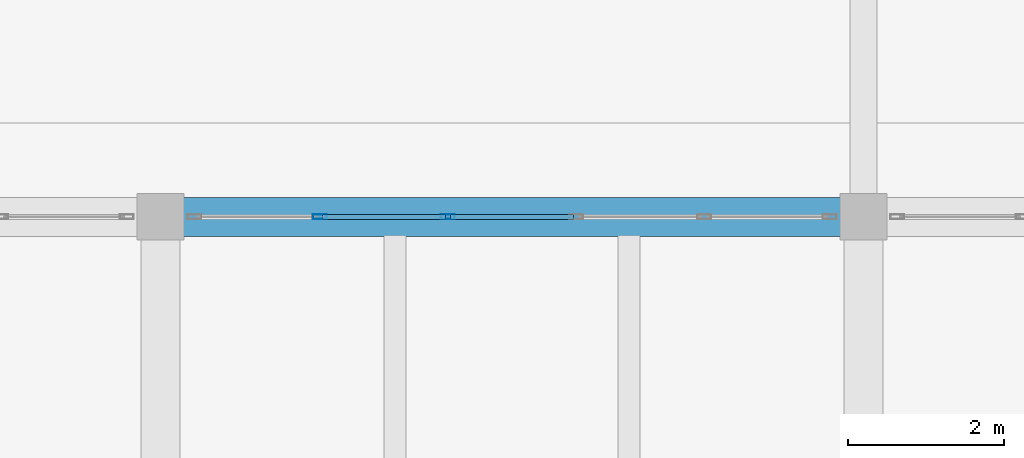
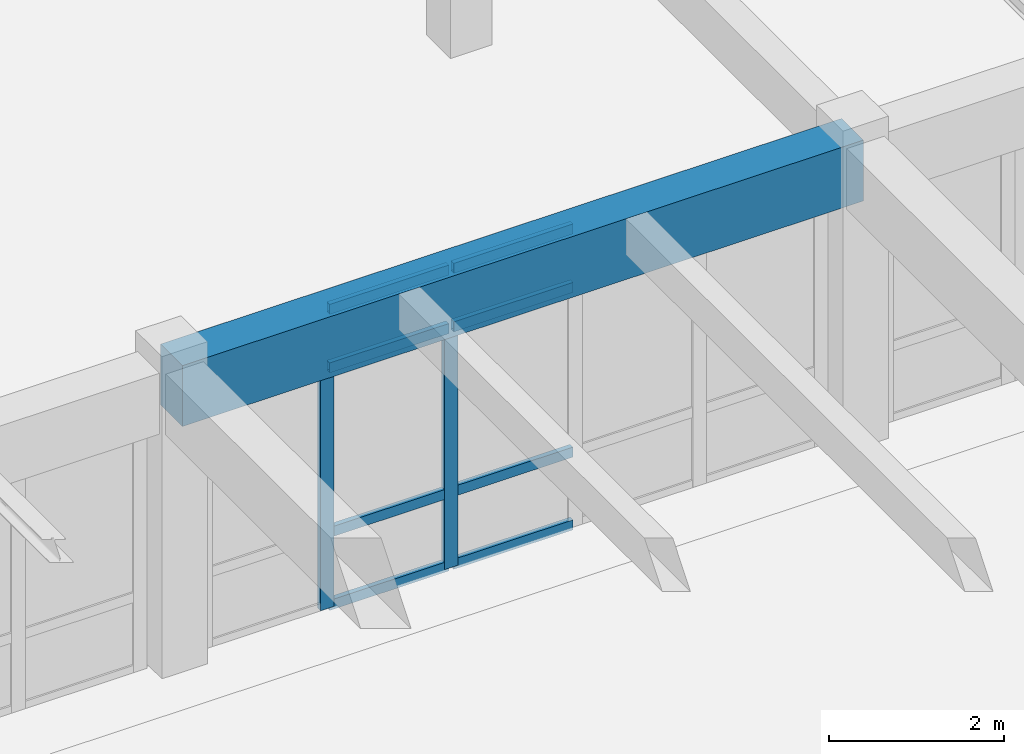
# One storey, part 84 of 186: 10 members, 1 beam, 1 element without a shape of its own.
"""IFC4 building model written with IfcOpenShell, lengths in metres."""

from ifc_helpers import new_model, si_unit, direction, frame, origin, origin_2d, place, context, subcontext, project, spatial, rectangle, hollow_rectangle, extrude, material, layer, layer_set, material_profile, profile_set, type_object, element, aggregate, save


model = new_model("IFC4")

# Units and contexts
model_context = context("Model", 3, precision=1e-05, world=origin(), true_north=direction((0.0, 1.0)))
body_context = subcontext(model_context, "Body", "Model", "MODEL_VIEW")
ifc_project = project(units=[si_unit("LENGTHUNIT", "METRE"), si_unit("AREAUNIT", "SQUARE_METRE"), si_unit("VOLUMEUNIT", "CUBIC_METRE"), si_unit("PLANEANGLEUNIT", "RADIAN"), si_unit("MASSUNIT", "GRAM", prefix="KILO")], contexts=[model_context])

# Site, building, storey
site_placement = place(None, origin())
site = spatial("IfcSite", under=ifc_project, at=site_placement, CompositionType="ELEMENT")
building_placement = place(site_placement, origin())
building = spatial("IfcBuilding", under=site, at=building_placement, Name="Ornek Quay Market", CompositionType="ELEMENT")
storey_placement = place(building_placement, origin())
storey = spatial("IfcBuildingStorey", under=building, at=storey_placement, Name="L00", CompositionType="ELEMENT", Elevation=0.0)

# Beam
ifc_material_1 = material(Name="Concrete C40/50", Category="concrete")
ifc_material_profile_1 = material_profile(ifc_material_1, rectangle(XDim=0.5, YDim=0.85009765625, at=origin_2d()), Name="RC 500x850", Category="concrete")
ifc_profile_set_1 = profile_set([ifc_material_profile_1], Name="Concrete C40/50")
beam_type = type_object("IfcBeamType", Name="BM-GAL-500x850", PredefinedType="BEAM", material=ifc_profile_set_1)
beam_placement = place(storey_placement, frame((90.0, 92.0, 3.81494140625), z_axis=(1.0, 0.0, 0.0), x_axis=(0.0, 1.0, 0.0)))
element("IfcBeam", 1, at=beam_placement, inside=storey, type_object=beam_type, Name="Primary beam B-GL1-053", PredefinedType="BEAM", context=body_context, shape_type="SweptSolid", body=[
    extrude(rectangle(XDim=0.5, YDim=0.85009765625, at=origin_2d()), origin(), (0.0, 0.0, 1.0), 9.0),
])

# Curtain wall, members
ifc_material_2 = material(Name="Anodised bronze aluminium and triple low-e glass", Category="aluminium")
ifc_layer = layer(ifc_material_2, 0.139892578125, Name="Anodised bronze aluminium and triple low-e glass", Category="aluminium")
ifc_layer_set = layer_set([ifc_layer], Name="Anodised bronze aluminium and triple low-e glass")
curtain_wall_type = type_object("IfcCurtainWallType", Name="CW-GALLERY-INT", PredefinedType="USERDEFINED", material=ifc_layer_set)
curtain_wall_placement = place(storey_placement, origin())
curtain_wall = element("IfcCurtainWall", 2, at=curtain_wall_placement, inside=storey, type_object=curtain_wall_type, Name="Curtain wall CW-124", ObjectType="CURTAIN WALL", PredefinedType="USERDEFINED")
ifc_material_3 = material(Name="Anodised aluminium 6063-T6", Category="aluminium")
ifc_material_profile_2 = material_profile(ifc_material_3, hollow_rectangle(XDim=0.06494140625, YDim=0.179931640625, WallThickness=0.00439453125, at=origin_2d()), Name="CW-MUL-65x180", Category="aluminium")
ifc_profile_set_2 = profile_set([ifc_material_profile_2], Name="Anodised aluminium 6063-T6")
member_type_1 = type_object("IfcMemberType", Name="CW-MUL-65x180", PredefinedType="MULLION", material=ifc_profile_set_2)
member_1_placement = place(storey_placement, frame((92.0400390625, 92.0, 0.0), z_axis=(0.0, 0.0, 1.0), x_axis=(0.0, 1.0, 0.0)))
member_1 = element("IfcMember", 3, at=member_1_placement, type_object=member_type_1, Name="CW-124 mullion 2", PredefinedType="MULLION", context=body_context, shape_type="SweptSolid", body=[
    extrude(hollow_rectangle(XDim=0.06494140625, YDim=0.179931640625, WallThickness=0.00439453125, at=origin_2d()), origin(), (0.0, 0.0, 1.0), 4.199951171875),
])
member_2_placement = place(storey_placement, frame((93.679931640625, 92.0, 0.0), z_axis=(0.0, 0.0, 1.0), x_axis=(0.0, 1.0, 0.0)))
member_2 = element("IfcMember", 4, at=member_2_placement, type_object=member_type_1, Name="CW-124 mullion 3", PredefinedType="MULLION", context=body_context, shape_type="SweptSolid", body=[
    extrude(hollow_rectangle(XDim=0.06494140625, YDim=0.179931640625, WallThickness=0.00439453125, at=origin_2d()), origin(), (0.0, 0.0, 1.0), 4.199951171875),
])
ifc_material_profile_3 = material_profile(ifc_material_3, hollow_rectangle(XDim=0.06494140625, YDim=0.139892578125, WallThickness=0.00439453125, at=origin_2d()), Name="CW-TRN-65x140", Category="aluminium")
ifc_profile_set_3 = profile_set([ifc_material_profile_3], Name="Anodised aluminium 6063-T6")
member_type_2 = type_object("IfcMemberType", Name="CW-TRN-65x140", PredefinedType="USERDEFINED", material=ifc_profile_set_3)
member_3_placement = place(storey_placement, frame((92.072509765625, 92.0, 0.032470703125), z_axis=(1.0, 0.0, 0.0), x_axis=(0.0, 1.0, 0.0)))
member_3 = element("IfcMember", 5, at=member_3_placement, type_object=member_type_2, Name="CW-124 transom 2.1", ObjectType="TRANSOM", PredefinedType="USERDEFINED", context=body_context, shape_type="SweptSolid", body=[
    extrude(hollow_rectangle(XDim=0.06494140625, YDim=0.139892578125, WallThickness=0.00439453125, at=origin_2d()), origin(), (0.0, 0.0, 1.0), 1.574951171875),
])
member_4_placement = place(storey_placement, frame((92.072509765625, 92.0, 1.050048828125), z_axis=(1.0, 0.0, 0.0), x_axis=(0.0, 1.0, 0.0)))
member_4 = element("IfcMember", 6, at=member_4_placement, type_object=member_type_2, Name="CW-124 transom 2.2", ObjectType="TRANSOM", PredefinedType="USERDEFINED", context=body_context, shape_type="SweptSolid", body=[
    extrude(hollow_rectangle(XDim=0.06494140625, YDim=0.139892578125, WallThickness=0.00439453125, at=origin_2d()), origin(), (0.0, 0.0, 1.0), 1.574951171875),
])
member_5_placement = place(storey_placement, frame((92.072509765625, 92.0, 3.35009765625), z_axis=(1.0, 0.0, 0.0), x_axis=(0.0, 1.0, 0.0)))
member_5 = element("IfcMember", 7, at=member_5_placement, type_object=member_type_2, Name="CW-124 transom 2.3", ObjectType="TRANSOM", PredefinedType="USERDEFINED", context=body_context, shape_type="SweptSolid", body=[
    extrude(hollow_rectangle(XDim=0.06494140625, YDim=0.139892578125, WallThickness=0.00439453125, at=origin_2d()), origin(), (0.0, 0.0, 1.0), 1.574951171875),
])
member_6_placement = place(storey_placement, frame((92.072509765625, 92.0, 4.16748046875), z_axis=(1.0, 0.0, 0.0), x_axis=(0.0, 1.0, 0.0)))
member_6 = element("IfcMember", 8, at=member_6_placement, type_object=member_type_2, Name="CW-124 transom 2.4", ObjectType="TRANSOM", PredefinedType="USERDEFINED", context=body_context, shape_type="SweptSolid", body=[
    extrude(hollow_rectangle(XDim=0.06494140625, YDim=0.139892578125, WallThickness=0.00439453125, at=origin_2d()), origin(), (0.0, 0.0, 1.0), 1.574951171875),
])
member_7_placement = place(storey_placement, frame((93.71240234375, 92.0, 0.032470703125), z_axis=(1.0, 0.0, 0.0), x_axis=(0.0, 1.0, 0.0)))
member_7 = element("IfcMember", 9, at=member_7_placement, type_object=member_type_2, Name="CW-124 transom 3.1", ObjectType="TRANSOM", PredefinedType="USERDEFINED", context=body_context, shape_type="SweptSolid", body=[
    extrude(hollow_rectangle(XDim=0.06494140625, YDim=0.139892578125, WallThickness=0.00439453125, at=origin_2d()), origin(), (0.0, 0.0, 1.0), 1.5751953125),
])
member_8_placement = place(storey_placement, frame((93.71240234375, 92.0, 1.050048828125), z_axis=(1.0, 0.0, 0.0), x_axis=(0.0, 1.0, 0.0)))
member_8 = element("IfcMember", 10, at=member_8_placement, type_object=member_type_2, Name="CW-124 transom 3.2", ObjectType="TRANSOM", PredefinedType="USERDEFINED", context=body_context, shape_type="SweptSolid", body=[
    extrude(hollow_rectangle(XDim=0.06494140625, YDim=0.139892578125, WallThickness=0.00439453125, at=origin_2d()), origin(), (0.0, 0.0, 1.0), 1.5751953125),
])
member_9_placement = place(storey_placement, frame((93.71240234375, 92.0, 3.35009765625), z_axis=(1.0, 0.0, 0.0), x_axis=(0.0, 1.0, 0.0)))
member_9 = element("IfcMember", 11, at=member_9_placement, type_object=member_type_2, Name="CW-124 transom 3.3", ObjectType="TRANSOM", PredefinedType="USERDEFINED", context=body_context, shape_type="SweptSolid", body=[
    extrude(hollow_rectangle(XDim=0.06494140625, YDim=0.139892578125, WallThickness=0.00439453125, at=origin_2d()), origin(), (0.0, 0.0, 1.0), 1.5751953125),
])
member_10_placement = place(storey_placement, frame((93.71240234375, 92.0, 4.16748046875), z_axis=(1.0, 0.0, 0.0), x_axis=(0.0, 1.0, 0.0)))
member_10 = element("IfcMember", 12, at=member_10_placement, type_object=member_type_2, Name="CW-124 transom 3.4", ObjectType="TRANSOM", PredefinedType="USERDEFINED", context=body_context, shape_type="SweptSolid", body=[
    extrude(hollow_rectangle(XDim=0.06494140625, YDim=0.139892578125, WallThickness=0.00439453125, at=origin_2d()), origin(), (0.0, 0.0, 1.0), 1.5751953125),
])
aggregate(curtain_wall, [member_1, member_2, member_3, member_4, member_5, member_6, member_7, member_8, member_9, member_10])

save(model, "model.ifc")
